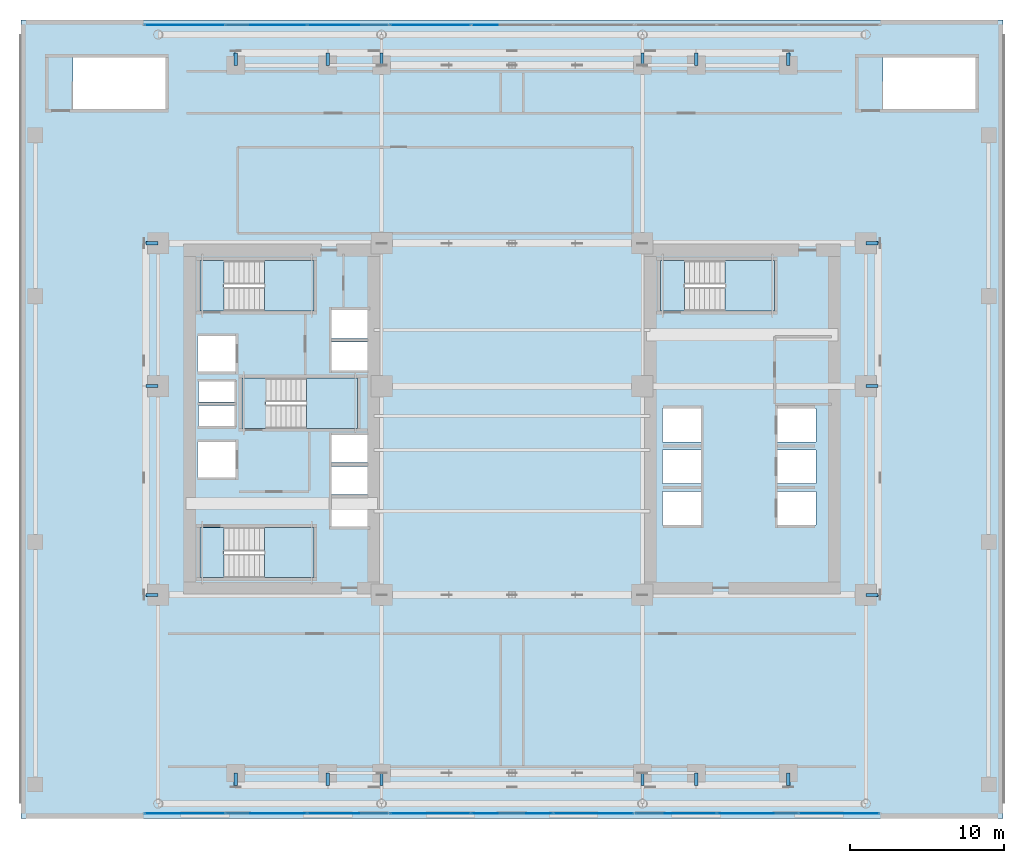
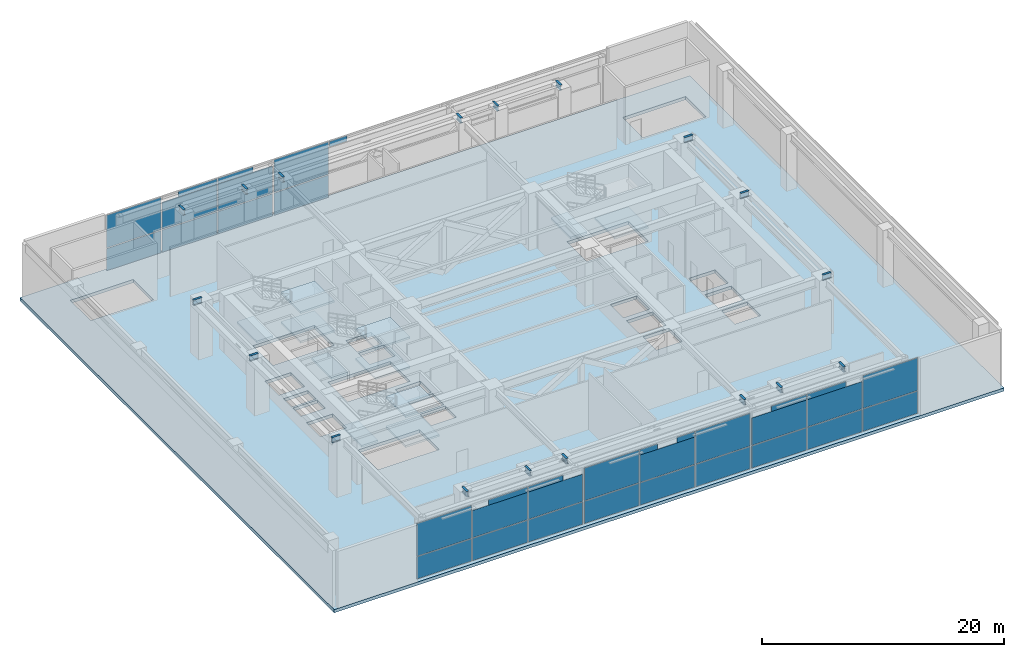
# One storey, part 17 of 29: 35 plates, 18 beams, 12 slabs, 9 elements without a shape of their own.
"""IFC4 building model written with IfcOpenShell, lengths in metres."""

from ifc_helpers import new_model, si_unit, direction, frame, origin, origin_2d, place, context, subcontext, project, spatial, polyline, rectangle, i_section, outline, extrude, source, transform, mapped, material, layer, layer_set, material_profile, profile_set, type_object, element, aggregate, save


model = new_model("IFC4")

# Units and contexts
model_context = context("Model", 3, precision=1e-05, world=origin(), true_north=direction((0.0, 1.0)))
body_context = subcontext(model_context, "Body", "Model", "MODEL_VIEW")
ifc_project = project(units=[si_unit("LENGTHUNIT", "METRE"), si_unit("AREAUNIT", "SQUARE_METRE"), si_unit("VOLUMEUNIT", "CUBIC_METRE"), si_unit("PLANEANGLEUNIT", "RADIAN"), si_unit("MASSUNIT", "GRAM", prefix="KILO")], contexts=[model_context])

# Site, building, storey
site_placement = place(None, origin())
site = spatial("IfcSite", under=ifc_project, at=site_placement, CompositionType="ELEMENT")
building_placement = place(site_placement, origin())
building = spatial("IfcBuilding", under=site, at=building_placement, Name="Ocotamira Hotel", CompositionType="ELEMENT")
storey_placement = place(building_placement, frame((0.0, 0.0, 28.800048828125)))
storey = spatial("IfcBuildingStorey", under=building, at=storey_placement, Name="L06", CompositionType="ELEMENT", Elevation=28.800048828125)

# Beams
ifc_material_1 = material(Name="Steel ASTM A992 Grade 50", Category="steel")
ifc_material_profile = material_profile(ifc_material_1, i_section(OverallWidth=0.2099609375, OverallDepth=0.537109375, WebThickness=0.010986328125, FlangeThickness=0.017333984375, FilletRadius=0.012939453125, at=origin_2d()), Name="W21X68")
ifc_profile_set = profile_set([ifc_material_profile], Name="Steel ASTM A992 Grade 50")
beam_type = type_object("IfcBeamType", Name="BM-SEC-W21X68", PredefinedType="JOIST", material=ifc_profile_set)
shared_shape_1 = source(origin(), body_context, "Body", "SweptSolid", [
    extrude(i_section(OverallWidth=0.2099609375, OverallDepth=0.537109375, WebThickness=0.010986328125, FlangeThickness=0.017333984375, FilletRadius=0.012939453125, at=origin_2d()), origin(), (0.0, 0.0, 1.0), 0.800048828125),
])
for number, where, z_axis, x_axis, name in (
    (1, (14.0, 2.949951171875, 5.4814453125), (0.0, -1.0, 0.0), (1.0, 0.0, 0.0), "L06 South Edge Header X14"),
    (2, (14.0, 49.050048828125, 5.4814453125), (0.0, 1.0, 0.0), (-1.0, 0.0, 0.0), "L06 North Edge Header X14"),
    (3, (20.0, 2.949951171875, 5.4814453125), (0.0, -1.0, 0.0), (1.0, 0.0, 0.0), "L06 South Edge Header X20"),
    (4, (20.0, 49.050048828125, 5.4814453125), (0.0, 1.0, 0.0), (-1.0, 0.0, 0.0), "L06 North Edge Header X20"),
    (5, (23.5, 2.949951171875, 5.4814453125), (0.0, -1.0, 0.0), (1.0, 0.0, 0.0), "L06 South Edge Header X23.5"),
    (6, (23.5, 49.050048828125, 5.4814453125), (0.0, 1.0, 0.0), (-1.0, 0.0, 0.0), "L06 North Edge Header X23.5"),
    (7, (40.5, 2.949951171875, 5.4814453125), (0.0, -1.0, 0.0), (1.0, 0.0, 0.0), "L06 South Edge Header X40.5"),
    (8, (40.5, 49.050048828125, 5.4814453125), (0.0, 1.0, 0.0), (-1.0, 0.0, 0.0), "L06 North Edge Header X40.5"),
    (9, (44.0, 2.949951171875, 5.4814453125), (0.0, -1.0, 0.0), (1.0, 0.0, 0.0), "L06 South Edge Header X44"),
    (10, (44.0, 49.050048828125, 5.4814453125), (0.0, 1.0, 0.0), (-1.0, 0.0, 0.0), "L06 North Edge Header X44"),
    (11, (50.0, 2.949951171875, 5.4814453125), (0.0, -1.0, 0.0), (1.0, 0.0, 0.0), "L06 South Edge Header X50"),
    (12, (50.0, 49.050048828125, 5.4814453125), (0.0, 1.0, 0.0), (-1.0, 0.0, 0.0), "L06 North Edge Header X50"),
    (13, (8.949951171875, 14.550048828125, 5.4814453125), (-1.0, 0.0, 0.0), (0.0, -1.0, 0.0), "L06 West Edge Header Y14.55"),
    (14, (55.050048828125, 14.550048828125, 5.4814453125), (1.0, 0.0, 0.0), (0.0, 1.0, 0.0), "L06 East Edge Header Y14.55"),
    (15, (8.949951171875, 28.14990234375, 5.4814453125), (-1.0, 0.0, 0.0), (0.0, -1.0, 0.0), "L06 West Edge Header Y28.15"),
    (16, (55.050048828125, 28.14990234375, 5.4814453125), (1.0, 0.0, 0.0), (0.0, 1.0, 0.0), "L06 East Edge Header Y28.15"),
    (17, (8.949951171875, 37.449951171875, 5.4814453125), (-1.0, 0.0, 0.0), (0.0, -1.0, 0.0), "L06 West Edge Header Y37.45"),
    (18, (55.050048828125, 37.449951171875, 5.4814453125), (1.0, 0.0, 0.0), (0.0, 1.0, 0.0), "L06 East Edge Header Y37.45"),
):
    element("IfcBeam", number, at=place(storey_placement, frame(where, z_axis=z_axis, x_axis=x_axis)), inside=storey, type_object=beam_type, Name=name, PredefinedType="JOIST", context=body_context, shape_type="MappedRepresentation", body=[
        mapped(shared_shape_1, transform((0.0, 0.0, 0.0), scale=1.0)),
    ])

# Slab
ifc_material_2 = material(Name="Concrete C40/50", Category="concrete")
ifc_layer_1 = layer(ifc_material_2, 0.320068359375)
ifc_layer_set_1 = layer_set([ifc_layer_1], Name="Concrete C40/50")
slab_type_1 = type_object("IfcSlabType", Name="SLB-HVY-320", PredefinedType="FLOOR", material=ifc_layer_set_1)
slab_1_placement = place(storey_placement, frame((0.0, 0.0, -0.320068359375)))
element("IfcSlab", 19, at=slab_1_placement, inside=storey, type_object=slab_type_1, Name="L06 Structural Floor Slab", PredefinedType="FLOOR", context=body_context, shape_type="SweptSolid", body=[
    extrude(outline(polyline([(0.0, 0.0), (64.0, 0.0), (64.0, 52.0), (0.0, 52.0), (0.0, 0.0)]), holes=[polyline([(13.22998046875, 15.669921875), (19.090087890625, 15.669921875), (19.090087890625, 18.949951171875), (13.22998046875, 18.949951171875), (13.22998046875, 15.669921875)]), polyline([(13.22998046875, 33.050048828125), (19.090087890625, 33.050048828125), (19.090087890625, 36.330078125), (13.22998046875, 36.330078125), (13.22998046875, 33.050048828125)]), polyline([(15.9599609375, 25.39990234375), (21.919921875, 25.39990234375), (21.919921875, 28.679931640625), (15.9599609375, 28.679931640625), (15.9599609375, 25.39990234375)]), polyline([(43.22998046875, 33.050048828125), (49.090087890625, 33.050048828125), (49.090087890625, 36.330078125), (43.22998046875, 36.330078125), (43.22998046875, 33.050048828125)]), polyline([(3.39990234375, 46.199951171875), (9.419921875, 46.199951171875), (9.419921875, 49.56005859375), (3.39990234375, 49.56005859375), (3.39990234375, 46.199951171875)]), polyline([(56.179931640625, 46.199951171875), (62.199951171875, 46.199951171875), (62.199951171875, 49.56005859375), (56.179931640625, 49.56005859375), (56.179931640625, 46.199951171875)]), polyline([(49.300048828125, 19.10009765625), (51.800048828125, 19.10009765625), (51.800048828125, 21.300048828125), (49.300048828125, 21.300048828125), (49.300048828125, 19.10009765625)]), polyline([(49.300048828125, 21.800048828125), (51.800048828125, 21.800048828125), (51.800048828125, 24.0), (49.300048828125, 24.0), (49.300048828125, 21.800048828125)]), polyline([(49.300048828125, 24.5), (51.800048828125, 24.5), (51.800048828125, 26.699951171875), (49.300048828125, 26.699951171875), (49.300048828125, 24.5)]), polyline([(41.800048828125, 19.10009765625), (44.300048828125, 19.10009765625), (44.300048828125, 21.300048828125), (41.800048828125, 21.300048828125), (41.800048828125, 19.10009765625)]), polyline([(41.800048828125, 21.800048828125), (44.300048828125, 21.800048828125), (44.300048828125, 24.0), (41.800048828125, 24.0), (41.800048828125, 21.800048828125)]), polyline([(41.800048828125, 24.5), (44.300048828125, 24.5), (44.300048828125, 26.699951171875), (41.800048828125, 26.699951171875), (41.800048828125, 24.5)]), polyline([(20.25, 19.0), (22.659912109375, 19.0), (22.659912109375, 20.85009765625), (20.25, 20.85009765625), (20.25, 19.0)]), polyline([(20.25, 21.080078125), (22.659912109375, 21.080078125), (22.659912109375, 22.929931640625), (20.25, 22.929931640625), (20.25, 21.080078125)]), polyline([(20.25, 23.159912109375), (22.659912109375, 23.159912109375), (22.659912109375, 24.9599609375), (20.25, 24.9599609375), (20.25, 23.159912109375)]), polyline([(20.25, 29.179931640625), (22.659912109375, 29.179931640625), (22.659912109375, 31.030029296875), (20.25, 31.030029296875), (20.25, 29.179931640625)]), polyline([(20.25, 31.260009765625), (22.659912109375, 31.260009765625), (22.659912109375, 33.110107421875), (20.25, 33.110107421875), (20.25, 31.260009765625)]), polyline([(11.5, 22.199951171875), (14.0, 22.199951171875), (14.0, 24.5), (11.5, 24.5), (11.5, 22.199951171875)]), polyline([(11.5, 29.10009765625), (14.0, 29.10009765625), (14.0, 31.39990234375), (11.5, 31.39990234375), (11.5, 29.10009765625)]), polyline([(11.580078125, 25.550048828125), (13.919921875, 25.550048828125), (13.919921875, 26.89990234375), (11.580078125, 26.89990234375), (11.580078125, 25.550048828125)]), polyline([(11.580078125, 27.10009765625), (13.919921875, 27.10009765625), (13.919921875, 28.449951171875), (11.580078125, 28.449951171875), (11.580078125, 27.10009765625)])]), origin(), (0.0, 0.0, 1.0), 0.320068359375),
])

# Stair, slabs
stair_type = type_object("IfcStairType", Name="ST-CORE-1560", PredefinedType="HALF_TURN_STAIR", material=ifc_material_2)
stair_1_placement = place(storey_placement, origin())
stair_1 = element("IfcStair", 20, at=stair_1_placement, inside=storey, type_object=stair_type, Name="L06 Exit Stair ST-1", PredefinedType="HALF_TURN_STAIR")
ifc_layer_2 = layer(ifc_material_2, 0.199951171875)
ifc_layer_set_2 = layer_set([ifc_layer_2], Name="Concrete C40/50")
slab_type_2 = type_object("IfcSlabType", Name="SLB-LAND-200", PredefinedType="LANDING", material=ifc_layer_set_2)
slab_2_placement = place(storey_placement, frame((0.0, 0.0, 1.300048828125)))
slab_2 = element("IfcSlab", 21, at=slab_2_placement, type_object=slab_type_2, Name="ST-1 landing 1", PredefinedType="LANDING", context=body_context, shape_type="SweptSolid", body=[
    extrude(outline(polyline([(15.8701171875, 15.669921875), (19.090087890625, 15.669921875), (19.090087890625, 18.949951171875), (15.8701171875, 18.949951171875), (15.8701171875, 15.669921875)])), origin(), (0.0, 0.0, 1.0), 0.199951171875),
])
slab_3_placement = place(storey_placement, frame((0.0, 0.0, 2.800048828125)))
slab_3 = element("IfcSlab", 22, at=slab_3_placement, type_object=slab_type_2, Name="ST-1 landing 2", PredefinedType="LANDING", context=body_context, shape_type="SweptSolid", body=[
    extrude(outline(polyline([(11.669921875, 15.669921875), (13.22998046875, 15.669921875), (13.22998046875, 18.949951171875), (11.669921875, 18.949951171875), (11.669921875, 15.669921875)])), origin(), (0.0, 0.0, 1.0), 0.199951171875),
])
slab_4_placement = place(storey_placement, frame((0.0, 0.0, 4.300048828125)))
slab_4 = element("IfcSlab", 23, at=slab_4_placement, type_object=slab_type_2, Name="ST-1 landing 3", PredefinedType="LANDING", context=body_context, shape_type="SweptSolid", body=[
    extrude(outline(polyline([(15.8701171875, 15.669921875), (19.090087890625, 15.669921875), (19.090087890625, 18.949951171875), (15.8701171875, 18.949951171875), (15.8701171875, 15.669921875)])), origin(), (0.0, 0.0, 1.0), 0.199951171875),
])
aggregate(stair_1, [slab_2, slab_3, slab_4])

stair_2_placement = place(storey_placement, origin())
stair_2 = element("IfcStair", 24, at=stair_2_placement, inside=storey, type_object=stair_type, Name="L06 Exit Stair ST-2", PredefinedType="HALF_TURN_STAIR")
slab_5_placement = place(storey_placement, frame((0.0, 0.0, 1.300048828125)))
slab_5 = element("IfcSlab", 25, at=slab_5_placement, type_object=slab_type_2, Name="ST-2 landing 1", PredefinedType="LANDING", context=body_context, shape_type="SweptSolid", body=[
    extrude(outline(polyline([(15.8701171875, 33.050048828125), (19.090087890625, 33.050048828125), (19.090087890625, 36.330078125), (15.8701171875, 36.330078125), (15.8701171875, 33.050048828125)])), origin(), (0.0, 0.0, 1.0), 0.199951171875),
])
slab_6_placement = place(storey_placement, frame((0.0, 0.0, 2.800048828125)))
slab_6 = element("IfcSlab", 26, at=slab_6_placement, type_object=slab_type_2, Name="ST-2 landing 2", PredefinedType="LANDING", context=body_context, shape_type="SweptSolid", body=[
    extrude(outline(polyline([(11.669921875, 33.050048828125), (13.22998046875, 33.050048828125), (13.22998046875, 36.330078125), (11.669921875, 36.330078125), (11.669921875, 33.050048828125)])), origin(), (0.0, 0.0, 1.0), 0.199951171875),
])
slab_7_placement = place(storey_placement, frame((0.0, 0.0, 4.300048828125)))
slab_7 = element("IfcSlab", 27, at=slab_7_placement, type_object=slab_type_2, Name="ST-2 landing 3", PredefinedType="LANDING", context=body_context, shape_type="SweptSolid", body=[
    extrude(outline(polyline([(15.8701171875, 33.050048828125), (19.090087890625, 33.050048828125), (19.090087890625, 36.330078125), (15.8701171875, 36.330078125), (15.8701171875, 33.050048828125)])), origin(), (0.0, 0.0, 1.0), 0.199951171875),
])
aggregate(stair_2, [slab_5, slab_6, slab_7])

stair_3_placement = place(storey_placement, origin())
stair_3 = element("IfcStair", 28, at=stair_3_placement, inside=storey, type_object=stair_type, Name="L06 Exit Stair ST-3", PredefinedType="HALF_TURN_STAIR")
slab_8_placement = place(storey_placement, frame((0.0, 0.0, 1.300048828125)))
slab_8 = element("IfcSlab", 29, at=slab_8_placement, type_object=slab_type_2, Name="ST-3 landing 1", PredefinedType="LANDING", context=body_context, shape_type="SweptSolid", body=[
    extrude(outline(polyline([(18.60009765625, 25.39990234375), (21.919921875, 25.39990234375), (21.919921875, 28.679931640625), (18.60009765625, 28.679931640625), (18.60009765625, 25.39990234375)])), origin(), (0.0, 0.0, 1.0), 0.199951171875),
])
slab_9_placement = place(storey_placement, frame((0.0, 0.0, 2.800048828125)))
slab_9 = element("IfcSlab", 30, at=slab_9_placement, type_object=slab_type_2, Name="ST-3 landing 2", PredefinedType="LANDING", context=body_context, shape_type="SweptSolid", body=[
    extrude(outline(polyline([(14.39990234375, 25.39990234375), (15.9599609375, 25.39990234375), (15.9599609375, 28.679931640625), (14.39990234375, 28.679931640625), (14.39990234375, 25.39990234375)])), origin(), (0.0, 0.0, 1.0), 0.199951171875),
])
slab_10_placement = place(storey_placement, frame((0.0, 0.0, 4.300048828125)))
slab_10 = element("IfcSlab", 31, at=slab_10_placement, type_object=slab_type_2, Name="ST-3 landing 3", PredefinedType="LANDING", context=body_context, shape_type="SweptSolid", body=[
    extrude(outline(polyline([(18.60009765625, 25.39990234375), (21.919921875, 25.39990234375), (21.919921875, 28.679931640625), (18.60009765625, 28.679931640625), (18.60009765625, 25.39990234375)])), origin(), (0.0, 0.0, 1.0), 0.199951171875),
])
aggregate(stair_3, [slab_8, slab_9, slab_10])

stair_4_placement = place(storey_placement, origin())
stair_4 = element("IfcStair", 32, at=stair_4_placement, inside=storey, type_object=stair_type, Name="L06 Exit Stair ST-4", PredefinedType="HALF_TURN_STAIR")
slab_11_placement = place(storey_placement, frame((0.0, 0.0, 1.300048828125)))
slab_11 = element("IfcSlab", 33, at=slab_11_placement, type_object=slab_type_2, Name="ST-4 landing 1", PredefinedType="LANDING", context=body_context, shape_type="SweptSolid", body=[
    extrude(outline(polyline([(45.8701171875, 33.050048828125), (49.090087890625, 33.050048828125), (49.090087890625, 36.330078125), (45.8701171875, 36.330078125), (45.8701171875, 33.050048828125)])), origin(), (0.0, 0.0, 1.0), 0.199951171875),
])
slab_12_placement = place(storey_placement, frame((0.0, 0.0, 2.800048828125)))
slab_12 = element("IfcSlab", 34, at=slab_12_placement, type_object=slab_type_2, Name="ST-4 landing 2", PredefinedType="LANDING", context=body_context, shape_type="SweptSolid", body=[
    extrude(outline(polyline([(41.669921875, 33.050048828125), (43.22998046875, 33.050048828125), (43.22998046875, 36.330078125), (41.669921875, 36.330078125), (41.669921875, 33.050048828125)])), origin(), (0.0, 0.0, 1.0), 0.199951171875),
])
aggregate(stair_4, [slab_11, slab_12])

# Curtain wall, plates
ifc_material_3 = material(Name="Anodised pale-metal aluminium and solar glass", Category="aluminium")
ifc_layer_3 = layer(ifc_material_3, 0.239990234375)
ifc_layer_set_3 = layer_set([ifc_layer_3], Name="Anodised pale-metal aluminium and solar glass")
curtain_wall_type = type_object("IfcCurtainWallType", Name="CW-SYS5-SKY", PredefinedType="NOTDEFINED", material=ifc_layer_set_3)
curtain_wall_1_placement = place(storey_placement, origin())
curtain_wall_1 = element("IfcCurtainWall", 35, at=curtain_wall_1_placement, inside=storey, type_object=curtain_wall_type, Name="L06 Curtain Wall CW-5 CW-L06-S1", PredefinedType="NOTDEFINED")
ifc_material_4 = material(Name="Double-silver low-E insulated solar glass", Category="glass")
ifc_layer_4 = layer(ifc_material_4, 0.031982421875)
ifc_layer_set_4 = layer_set([ifc_layer_4], Name="Double-silver low-E insulated solar glass")
plate_type = type_object("IfcPlateType", Name="CWP-VISION-32", PredefinedType="CURTAIN_PANEL", material=ifc_layer_set_4)
shared_shape_2 = source(origin(), body_context, "Body", "SweptSolid", [
    extrude(rectangle(XDim=5.21337890625, YDim=0.031982421875, at=origin_2d()), origin(), (0.0, 0.0, 1.0), 2.237548828125),
])
plate_1_placement = place(storey_placement, frame((10.686767578125, 0.320068359375, 0.07470703125), z_axis=(0.0, 0.0, 1.0), x_axis=(1.0, 0.0, 0.0)))
plate_1 = element("IfcPlate", 36, at=plate_1_placement, type_object=plate_type, Name="CW-5 panel 1.1", PredefinedType="CURTAIN_PANEL", context=body_context, shape_type="MappedRepresentation", body=[
    mapped(shared_shape_2, transform((0.0, 0.0, 0.0), scale=1.0)),
])
plate_2_placement = place(storey_placement, frame((21.313232421875, 0.320068359375, 0.07470703125), z_axis=(0.0, 0.0, 1.0), x_axis=(1.0, 0.0, 0.0)))
plate_2 = element("IfcPlate", 37, at=plate_2_placement, type_object=plate_type, Name="CW-5 panel 3.1", PredefinedType="CURTAIN_PANEL", context=body_context, shape_type="MappedRepresentation", body=[
    mapped(shared_shape_2, transform((0.0, 0.0, 0.0), scale=1.0)),
])

curtain_wall_2_placement = place(storey_placement, origin())
curtain_wall_2 = element("IfcCurtainWall", 38, at=curtain_wall_2_placement, inside=storey, type_object=curtain_wall_type, Name="L06 Curtain Wall CW-5 CW-L06-S2", PredefinedType="NOTDEFINED")
plate_3_placement = place(storey_placement, frame((26.686767578125, 0.320068359375, 0.07470703125), z_axis=(0.0, 0.0, 1.0), x_axis=(1.0, 0.0, 0.0)))
plate_3 = element("IfcPlate", 39, at=plate_3_placement, type_object=plate_type, Name="CW-5 panel 1.1", PredefinedType="CURTAIN_PANEL", context=body_context, shape_type="MappedRepresentation", body=[
    mapped(shared_shape_2, transform((0.0, 0.0, 0.0), scale=1.0)),
])
plate_4_placement = place(storey_placement, frame((37.313232421875, 0.320068359375, 0.07470703125), z_axis=(0.0, 0.0, 1.0), x_axis=(1.0, 0.0, 0.0)))
plate_4 = element("IfcPlate", 40, at=plate_4_placement, type_object=plate_type, Name="CW-5 panel 3.1", PredefinedType="CURTAIN_PANEL", context=body_context, shape_type="MappedRepresentation", body=[
    mapped(shared_shape_2, transform((0.0, 0.0, 0.0), scale=1.0)),
])

curtain_wall_3_placement = place(storey_placement, origin())
curtain_wall_3 = element("IfcCurtainWall", 41, at=curtain_wall_3_placement, inside=storey, type_object=curtain_wall_type, Name="L06 Curtain Wall CW-5 CW-L06-S3", PredefinedType="NOTDEFINED")
plate_5_placement = place(storey_placement, frame((42.686767578125, 0.320068359375, 0.07470703125), z_axis=(0.0, 0.0, 1.0), x_axis=(1.0, 0.0, 0.0)))
plate_5 = element("IfcPlate", 42, at=plate_5_placement, type_object=plate_type, Name="CW-5 panel 1.1", PredefinedType="CURTAIN_PANEL", context=body_context, shape_type="MappedRepresentation", body=[
    mapped(shared_shape_2, transform((0.0, 0.0, 0.0), scale=1.0)),
])
plate_6_placement = place(storey_placement, frame((53.313232421875, 0.320068359375, 0.07470703125), z_axis=(0.0, 0.0, 1.0), x_axis=(1.0, 0.0, 0.0)))
plate_6 = element("IfcPlate", 43, at=plate_6_placement, type_object=plate_type, Name="CW-5 panel 3.1", PredefinedType="CURTAIN_PANEL", context=body_context, shape_type="MappedRepresentation", body=[
    mapped(shared_shape_2, transform((0.0, 0.0, 0.0), scale=1.0)),
])

curtain_wall_4_placement = place(storey_placement, origin())
curtain_wall_4 = element("IfcCurtainWall", 44, at=curtain_wall_4_placement, inside=storey, type_object=curtain_wall_type, Name="L06 Curtain Wall CW-5 CW-L06-N1", PredefinedType="NOTDEFINED")
plate_7_placement = place(storey_placement, frame((10.686767578125, 51.679931640625, 0.07470703125), z_axis=(0.0, 0.0, 1.0), x_axis=(1.0, 0.0, 0.0)))
plate_7 = element("IfcPlate", 45, at=plate_7_placement, type_object=plate_type, Name="CW-5 panel 1.1", PredefinedType="CURTAIN_PANEL", context=body_context, shape_type="MappedRepresentation", body=[
    mapped(shared_shape_2, transform((0.0, 0.0, 0.0), scale=1.0)),
])
plate_8_placement = place(storey_placement, frame((21.313232421875, 51.679931640625, 0.07470703125), z_axis=(0.0, 0.0, 1.0), x_axis=(1.0, 0.0, 0.0)))
plate_8 = element("IfcPlate", 46, at=plate_8_placement, type_object=plate_type, Name="CW-5 panel 3.1", PredefinedType="CURTAIN_PANEL", context=body_context, shape_type="MappedRepresentation", body=[
    mapped(shared_shape_2, transform((0.0, 0.0, 0.0), scale=1.0)),
])

# Curtain wall, plate
curtain_wall_5_placement = place(storey_placement, origin())
curtain_wall_5 = element("IfcCurtainWall", 47, at=curtain_wall_5_placement, inside=storey, type_object=curtain_wall_type, Name="L06 Curtain Wall CW-5 CW-L06-N2", PredefinedType="NOTDEFINED")
plate_9_placement = place(storey_placement, frame((26.686767578125, 51.679931640625, 0.07470703125), z_axis=(0.0, 0.0, 1.0), x_axis=(1.0, 0.0, 0.0)))
plate_9 = element("IfcPlate", 48, at=plate_9_placement, type_object=plate_type, Name="CW-5 panel 1.1", PredefinedType="CURTAIN_PANEL", context=body_context, shape_type="MappedRepresentation", body=[
    mapped(shared_shape_2, transform((0.0, 0.0, 0.0), scale=1.0)),
])

# Plate
shared_shape_3 = source(origin(), body_context, "Body", "SweptSolid", [
    extrude(rectangle(XDim=5.25341796875, YDim=0.031982421875, at=origin_2d()), origin(), (0.0, 0.0, 1.0), 2.237548828125),
])
plate_10_placement = place(storey_placement, frame((16.0, 0.320068359375, 0.07470703125), z_axis=(0.0, 0.0, 1.0), x_axis=(1.0, 0.0, 0.0)))
plate_10 = element("IfcPlate", 49, at=plate_10_placement, type_object=plate_type, Name="CW-5 panel 2.1", PredefinedType="CURTAIN_PANEL", context=body_context, shape_type="MappedRepresentation", body=[
    mapped(shared_shape_3, transform((0.0, 0.0, 0.0), scale=1.0)),
])

plate_11_placement = place(storey_placement, frame((32.0, 0.320068359375, 0.07470703125), z_axis=(0.0, 0.0, 1.0), x_axis=(1.0, 0.0, 0.0)))
plate_11 = element("IfcPlate", 50, at=plate_11_placement, type_object=plate_type, Name="CW-5 panel 2.1", PredefinedType="CURTAIN_PANEL", context=body_context, shape_type="MappedRepresentation", body=[
    mapped(shared_shape_3, transform((0.0, 0.0, 0.0), scale=1.0)),
])

plate_12_placement = place(storey_placement, frame((48.0, 0.320068359375, 0.07470703125), z_axis=(0.0, 0.0, 1.0), x_axis=(1.0, 0.0, 0.0)))
plate_12 = element("IfcPlate", 51, at=plate_12_placement, type_object=plate_type, Name="CW-5 panel 2.1", PredefinedType="CURTAIN_PANEL", context=body_context, shape_type="MappedRepresentation", body=[
    mapped(shared_shape_3, transform((0.0, 0.0, 0.0), scale=1.0)),
])

plate_13_placement = place(storey_placement, frame((16.0, 51.679931640625, 0.07470703125), z_axis=(0.0, 0.0, 1.0), x_axis=(1.0, 0.0, 0.0)))
plate_13 = element("IfcPlate", 52, at=plate_13_placement, type_object=plate_type, Name="CW-5 panel 2.1", PredefinedType="CURTAIN_PANEL", context=body_context, shape_type="MappedRepresentation", body=[
    mapped(shared_shape_3, transform((0.0, 0.0, 0.0), scale=1.0)),
])

shared_shape_4 = source(origin(), body_context, "Body", "SweptSolid", [
    extrude(rectangle(XDim=5.21337890625, YDim=0.031982421875, at=origin_2d()), origin(), (0.0, 0.0, 1.0), 3.28759765625),
])
plate_14_placement = place(storey_placement, frame((10.686767578125, 0.320068359375, 2.387451171875), z_axis=(0.0, 0.0, 1.0), x_axis=(1.0, 0.0, 0.0)))
plate_14 = element("IfcPlate", 53, at=plate_14_placement, type_object=plate_type, Name="CW-5 panel 1.2", PredefinedType="CURTAIN_PANEL", context=body_context, shape_type="MappedRepresentation", body=[
    mapped(shared_shape_4, transform((0.0, 0.0, 0.0), scale=1.0)),
])

plate_15_placement = place(storey_placement, frame((26.686767578125, 0.320068359375, 2.387451171875), z_axis=(0.0, 0.0, 1.0), x_axis=(1.0, 0.0, 0.0)))
plate_15 = element("IfcPlate", 54, at=plate_15_placement, type_object=plate_type, Name="CW-5 panel 1.2", PredefinedType="CURTAIN_PANEL", context=body_context, shape_type="MappedRepresentation", body=[
    mapped(shared_shape_4, transform((0.0, 0.0, 0.0), scale=1.0)),
])

plate_16_placement = place(storey_placement, frame((37.313232421875, 0.320068359375, 2.387451171875), z_axis=(0.0, 0.0, 1.0), x_axis=(1.0, 0.0, 0.0)))
plate_16 = element("IfcPlate", 55, at=plate_16_placement, type_object=plate_type, Name="CW-5 panel 3.2", PredefinedType="CURTAIN_PANEL", context=body_context, shape_type="MappedRepresentation", body=[
    mapped(shared_shape_4, transform((0.0, 0.0, 0.0), scale=1.0)),
])

plate_17_placement = place(storey_placement, frame((53.313232421875, 0.320068359375, 2.387451171875), z_axis=(0.0, 0.0, 1.0), x_axis=(1.0, 0.0, 0.0)))
plate_17 = element("IfcPlate", 56, at=plate_17_placement, type_object=plate_type, Name="CW-5 panel 3.2", PredefinedType="CURTAIN_PANEL", context=body_context, shape_type="MappedRepresentation", body=[
    mapped(shared_shape_4, transform((0.0, 0.0, 0.0), scale=1.0)),
])

plate_18_placement = place(storey_placement, frame((10.686767578125, 51.679931640625, 2.387451171875), z_axis=(0.0, 0.0, 1.0), x_axis=(1.0, 0.0, 0.0)))
plate_18 = element("IfcPlate", 57, at=plate_18_placement, type_object=plate_type, Name="CW-5 panel 1.2", PredefinedType="CURTAIN_PANEL", context=body_context, shape_type="MappedRepresentation", body=[
    mapped(shared_shape_4, transform((0.0, 0.0, 0.0), scale=1.0)),
])

plate_19_placement = place(storey_placement, frame((26.686767578125, 51.679931640625, 2.387451171875), z_axis=(0.0, 0.0, 1.0), x_axis=(1.0, 0.0, 0.0)))
plate_19 = element("IfcPlate", 58, at=plate_19_placement, type_object=plate_type, Name="CW-5 panel 1.2", PredefinedType="CURTAIN_PANEL", context=body_context, shape_type="MappedRepresentation", body=[
    mapped(shared_shape_4, transform((0.0, 0.0, 0.0), scale=1.0)),
])

shared_shape_5 = source(origin(), body_context, "Body", "SweptSolid", [
    extrude(rectangle(XDim=5.25341796875, YDim=0.031982421875, at=origin_2d()), origin(), (0.0, 0.0, 1.0), 2.74560546875),
])
plate_20_placement = place(storey_placement, frame((16.0, 0.320068359375, 2.387451171875), z_axis=(0.0, 0.0, 1.0), x_axis=(1.0, 0.0, 0.0)))
plate_20 = element("IfcPlate", 59, at=plate_20_placement, type_object=plate_type, Name="CW-5 panel 2.2.1", PredefinedType="CURTAIN_PANEL", context=body_context, shape_type="MappedRepresentation", body=[
    mapped(shared_shape_5, transform((0.0, 0.0, 0.0), scale=1.0)),
])

plate_21_placement = place(storey_placement, frame((32.0, 0.320068359375, 2.387451171875), z_axis=(0.0, 0.0, 1.0), x_axis=(1.0, 0.0, 0.0)))
plate_21 = element("IfcPlate", 60, at=plate_21_placement, type_object=plate_type, Name="CW-5 panel 2.2.1", PredefinedType="CURTAIN_PANEL", context=body_context, shape_type="MappedRepresentation", body=[
    mapped(shared_shape_5, transform((0.0, 0.0, 0.0), scale=1.0)),
])

plate_22_placement = place(storey_placement, frame((48.0, 0.320068359375, 2.387451171875), z_axis=(0.0, 0.0, 1.0), x_axis=(1.0, 0.0, 0.0)))
plate_22 = element("IfcPlate", 61, at=plate_22_placement, type_object=plate_type, Name="CW-5 panel 2.2.1", PredefinedType="CURTAIN_PANEL", context=body_context, shape_type="MappedRepresentation", body=[
    mapped(shared_shape_5, transform((0.0, 0.0, 0.0), scale=1.0)),
])

plate_23_placement = place(storey_placement, frame((16.0, 51.679931640625, 2.387451171875), z_axis=(0.0, 0.0, 1.0), x_axis=(1.0, 0.0, 0.0)))
plate_23 = element("IfcPlate", 62, at=plate_23_placement, type_object=plate_type, Name="CW-5 panel 2.2.1", PredefinedType="CURTAIN_PANEL", context=body_context, shape_type="MappedRepresentation", body=[
    mapped(shared_shape_5, transform((0.0, 0.0, 0.0), scale=1.0)),
])

shared_shape_6 = source(origin(), body_context, "Body", "SweptSolid", [
    extrude(rectangle(XDim=3.6875, YDim=0.031982421875, at=origin_2d()), origin(), (0.0, 0.0, 1.0), 0.5419921875),
])
plate_24_placement = place(storey_placement, frame((16.782958984375, 0.320068359375, 5.133056640625), z_axis=(0.0, 0.0, 1.0), x_axis=(1.0, 0.0, 0.0)))
plate_24 = element("IfcPlate", 63, at=plate_24_placement, type_object=plate_type, Name="CW-5 panel 2.2.2", PredefinedType="CURTAIN_PANEL", context=body_context, shape_type="MappedRepresentation", body=[
    mapped(shared_shape_6, transform((0.0, 0.0, 0.0), scale=1.0)),
])

plate_25_placement = place(storey_placement, frame((47.217041015625, 0.320068359375, 5.133056640625), z_axis=(0.0, 0.0, 1.0), x_axis=(1.0, 0.0, 0.0)))
plate_25 = element("IfcPlate", 64, at=plate_25_placement, type_object=plate_type, Name="CW-5 panel 2.2.2", PredefinedType="CURTAIN_PANEL", context=body_context, shape_type="MappedRepresentation", body=[
    mapped(shared_shape_6, transform((0.0, 0.0, 0.0), scale=1.0)),
])

plate_26_placement = place(storey_placement, frame((16.782958984375, 51.679931640625, 5.133056640625), z_axis=(0.0, 0.0, 1.0), x_axis=(1.0, 0.0, 0.0)))
plate_26 = element("IfcPlate", 65, at=plate_26_placement, type_object=plate_type, Name="CW-5 panel 2.2.2", PredefinedType="CURTAIN_PANEL", context=body_context, shape_type="MappedRepresentation", body=[
    mapped(shared_shape_6, transform((0.0, 0.0, 0.0), scale=1.0)),
])

shared_shape_7 = source(origin(), body_context, "Body", "SweptSolid", [
    extrude(rectangle(XDim=5.21337890625, YDim=0.031982421875, at=origin_2d()), origin(), (0.0, 0.0, 1.0), 2.74560546875),
])
plate_27_placement = place(storey_placement, frame((21.313232421875, 0.320068359375, 2.387451171875), z_axis=(0.0, 0.0, 1.0), x_axis=(1.0, 0.0, 0.0)))
plate_27 = element("IfcPlate", 66, at=plate_27_placement, type_object=plate_type, Name="CW-5 panel 3.2.1", PredefinedType="CURTAIN_PANEL", context=body_context, shape_type="MappedRepresentation", body=[
    mapped(shared_shape_7, transform((0.0, 0.0, 0.0), scale=1.0)),
])

plate_28_placement = place(storey_placement, frame((42.686767578125, 0.320068359375, 2.387451171875), z_axis=(0.0, 0.0, 1.0), x_axis=(1.0, 0.0, 0.0)))
plate_28 = element("IfcPlate", 67, at=plate_28_placement, type_object=plate_type, Name="CW-5 panel 1.2.1", PredefinedType="CURTAIN_PANEL", context=body_context, shape_type="MappedRepresentation", body=[
    mapped(shared_shape_7, transform((0.0, 0.0, 0.0), scale=1.0)),
])

plate_29_placement = place(storey_placement, frame((21.313232421875, 51.679931640625, 2.387451171875), z_axis=(0.0, 0.0, 1.0), x_axis=(1.0, 0.0, 0.0)))
plate_29 = element("IfcPlate", 68, at=plate_29_placement, type_object=plate_type, Name="CW-5 panel 3.2.1", PredefinedType="CURTAIN_PANEL", context=body_context, shape_type="MappedRepresentation", body=[
    mapped(shared_shape_7, transform((0.0, 0.0, 0.0), scale=1.0)),
])

shared_shape_8 = source(origin(), body_context, "Body", "SweptSolid", [
    extrude(rectangle(XDim=3.354248046875, YDim=0.031982421875, at=origin_2d()), origin(), (0.0, 0.0, 1.0), 0.5419921875),
])
plate_30_placement = place(storey_placement, frame((20.3837890625, 0.320068359375, 5.133056640625), z_axis=(0.0, 0.0, 1.0), x_axis=(1.0, 0.0, 0.0)))
plate_30 = element("IfcPlate", 69, at=plate_30_placement, type_object=plate_type, Name="CW-5 panel 3.2.2", PredefinedType="CURTAIN_PANEL", context=body_context, shape_type="MappedRepresentation", body=[
    mapped(shared_shape_8, transform((0.0, 0.0, 0.0), scale=1.0)),
])

aggregate(curtain_wall_1, [plate_1, plate_14, plate_10, plate_20, plate_24, plate_2, plate_27, plate_30])

plate_31_placement = place(storey_placement, frame((43.6162109375, 0.320068359375, 5.133056640625), z_axis=(0.0, 0.0, 1.0), x_axis=(1.0, 0.0, 0.0)))
plate_31 = element("IfcPlate", 70, at=plate_31_placement, type_object=plate_type, Name="CW-5 panel 1.2.2", PredefinedType="CURTAIN_PANEL", context=body_context, shape_type="MappedRepresentation", body=[
    mapped(shared_shape_8, transform((0.0, 0.0, 0.0), scale=1.0)),
])

aggregate(curtain_wall_3, [plate_5, plate_28, plate_31, plate_12, plate_22, plate_25, plate_6, plate_17])

plate_32_placement = place(storey_placement, frame((20.3837890625, 51.679931640625, 5.133056640625), z_axis=(0.0, 0.0, 1.0), x_axis=(1.0, 0.0, 0.0)))
plate_32 = element("IfcPlate", 71, at=plate_32_placement, type_object=plate_type, Name="CW-5 panel 3.2.2", PredefinedType="CURTAIN_PANEL", context=body_context, shape_type="MappedRepresentation", body=[
    mapped(shared_shape_8, transform((0.0, 0.0, 0.0), scale=1.0)),
])

aggregate(curtain_wall_4, [plate_7, plate_18, plate_13, plate_23, plate_26, plate_8, plate_29, plate_32])

shared_shape_9 = source(origin(), body_context, "Body", "SweptSolid", [
    extrude(rectangle(XDim=1.6875, YDim=0.031982421875, at=origin_2d()), origin(), (0.0, 0.0, 1.0), 0.5419921875),
])
plate_33_placement = place(storey_placement, frame((30.217041015625, 0.320068359375, 5.133056640625), z_axis=(0.0, 0.0, 1.0), x_axis=(1.0, 0.0, 0.0)))
plate_33 = element("IfcPlate", 72, at=plate_33_placement, type_object=plate_type, Name="CW-5 panel 2.2.2", PredefinedType="CURTAIN_PANEL", context=body_context, shape_type="MappedRepresentation", body=[
    mapped(shared_shape_9, transform((0.0, 0.0, 0.0), scale=1.0)),
])

plate_34_placement = place(storey_placement, frame((33.782958984375, 0.320068359375, 5.133056640625), z_axis=(0.0, 0.0, 1.0), x_axis=(1.0, 0.0, 0.0)))
plate_34 = element("IfcPlate", 73, at=plate_34_placement, type_object=plate_type, Name="CW-5 panel 2.2.3", PredefinedType="CURTAIN_PANEL", context=body_context, shape_type="MappedRepresentation", body=[
    mapped(shared_shape_9, transform((0.0, 0.0, 0.0), scale=1.0)),
])

aggregate(curtain_wall_2, [plate_3, plate_15, plate_11, plate_21, plate_33, plate_34, plate_4, plate_16])

plate_35_placement = place(storey_placement, frame((30.217041015625, 51.679931640625, 5.133056640625), z_axis=(0.0, 0.0, 1.0), x_axis=(1.0, 0.0, 0.0)))
plate_35 = element("IfcPlate", 74, at=plate_35_placement, type_object=plate_type, Name="CW-5 panel 2.2.2", PredefinedType="CURTAIN_PANEL", context=body_context, shape_type="MappedRepresentation", body=[
    mapped(shared_shape_9, transform((0.0, 0.0, 0.0), scale=1.0)),
])

aggregate(curtain_wall_5, [plate_9, plate_19, plate_35])

save(model, "model.ifc")
